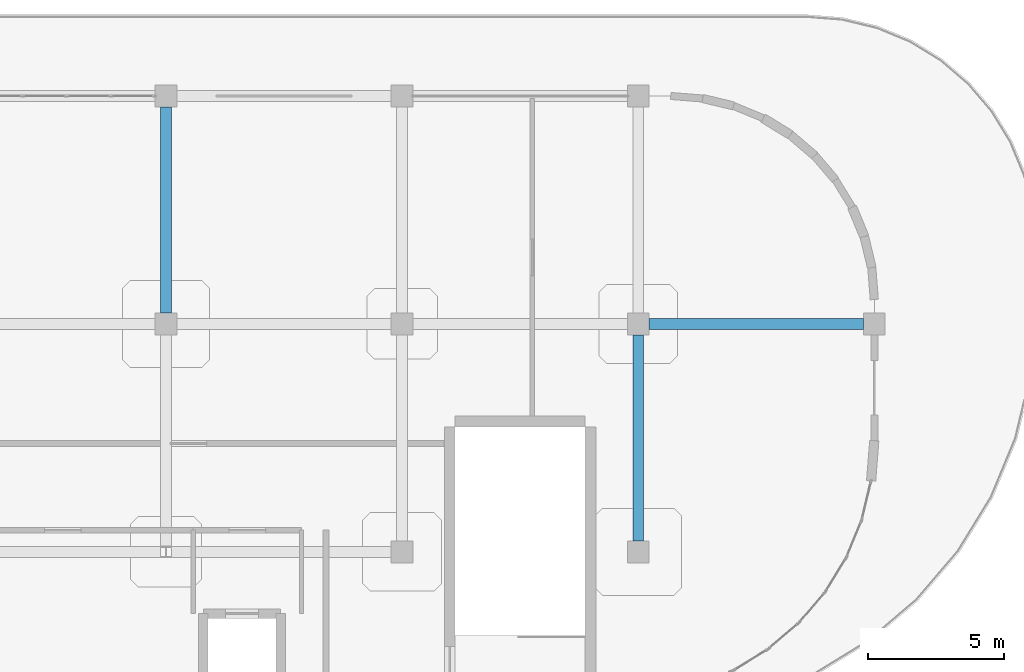
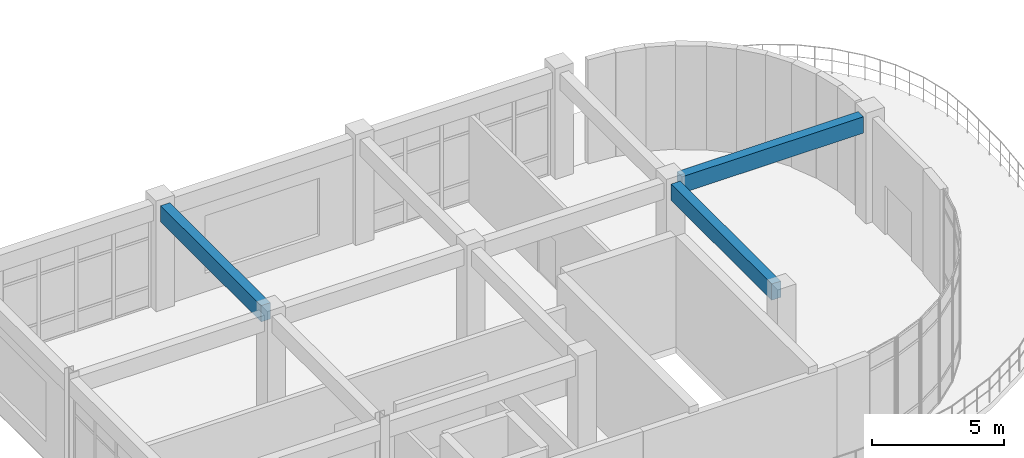
# One storey, part 60 of 96: 3 beams.
"""IFC4 building model written with IfcOpenShell, lengths in metres."""

from ifc_helpers import new_model, si_unit, derived_unit, direction, frame, origin, origin_2d, place, context, subcontext, project, spatial, rectangle, extrude, material, material_profile, profile_set, type_object, element, save


model = new_model("IFC4")

# Units and contexts
model_context = context("Model", 3, precision=1e-05, world=origin(), true_north=direction((0.0, 1.0)))
body_context = subcontext(model_context, "Body", "Model", "MODEL_VIEW")
ifc_project = project(units=[si_unit("LENGTHUNIT", "METRE"), si_unit("AREAUNIT", "SQUARE_METRE"), si_unit("VOLUMEUNIT", "CUBIC_METRE"), si_unit("PLANEANGLEUNIT", "RADIAN"), si_unit("MASSUNIT", "GRAM", prefix="KILO"), derived_unit("THERMALTRANSMITTANCEUNIT", [(si_unit("MASSUNIT", "GRAM", prefix="KILO"), 1), (si_unit("TIMEUNIT", "SECOND"), -3), (si_unit("THERMODYNAMICTEMPERATUREUNIT", "KELVIN"), -1)])], contexts=[model_context])

# Site, building, storey
site_placement = place(None, origin())
site = spatial("IfcSite", under=ifc_project, at=site_placement, CompositionType="ELEMENT")
building_placement = place(site_placement, origin())
building = spatial("IfcBuilding", under=site, at=building_placement, Name="Qinzheling Arcade Emporium", CompositionType="ELEMENT")
storey_placement = place(building_placement, frame((0.0, 0.0, 21.60009765625)))
storey = spatial("IfcBuildingStorey", under=building, at=storey_placement, Name="L05", CompositionType="ELEMENT", Elevation=21.60009765625)

# Beams
ifc_material = material(Name="Concrete C40", Category="concrete")
ifc_material_profile = material_profile(ifc_material, rectangle(XDim=0.39990234375, YDim=0.75, at=origin_2d()), Name="RC 400x750", Category="concrete")
ifc_profile_set = profile_set([ifc_material_profile], Name="Concrete C40")
beam_type = type_object("IfcBeamType", Name="RC Interior Tie Beam 400x750 C40", PredefinedType="BEAM", material=ifc_profile_set)
beam_1_placement = place(storey_placement, frame((148.300048828125, 16.800048828125, 4.44482421875), z_axis=(1.0, 0.0, 0.0), x_axis=(0.0, 1.0, 0.0)))
element("IfcBeam", 1, at=beam_1_placement, inside=storey, type_object=beam_type, Name="Beam BM-L05-X-C-18", PredefinedType="BEAM", context=body_context, shape_type="SweptSolid", body=[
    extrude(rectangle(XDim=0.39990234375, YDim=0.75, at=origin_2d()), origin(), (0.0, 0.0, 1.0), 7.89990234375),
])
beam_2_placement = place(storey_placement, frame((130.5, 17.199951171875, 4.44482421875), z_axis=(0.0, 1.0, 0.0), x_axis=(-1.0, 0.0, 0.0)))
element("IfcBeam", 2, at=beam_2_placement, inside=storey, type_object=beam_type, Name="Beam BM-L05-Y-16-C", PredefinedType="BEAM", context=body_context, shape_type="SweptSolid", body=[
    extrude(rectangle(XDim=0.39990234375, YDim=0.75, at=origin_2d()), origin(), (0.0, 0.0, 1.0), 7.60009765625),
])
beam_3_placement = place(storey_placement, frame((147.89990234375, 8.800048828125, 4.44482421875), z_axis=(0.0, 1.0, 0.0), x_axis=(-1.0, 0.0, 0.0)))
element("IfcBeam", 3, at=beam_3_placement, inside=storey, type_object=beam_type, Name="Beam BM-L05-Y-18-B", PredefinedType="BEAM", context=body_context, shape_type="SweptSolid", body=[
    extrude(rectangle(XDim=0.39990234375, YDim=0.75, at=origin_2d()), origin(), (0.0, 0.0, 1.0), 7.599853515625),
])

save(model, "model.ifc")
